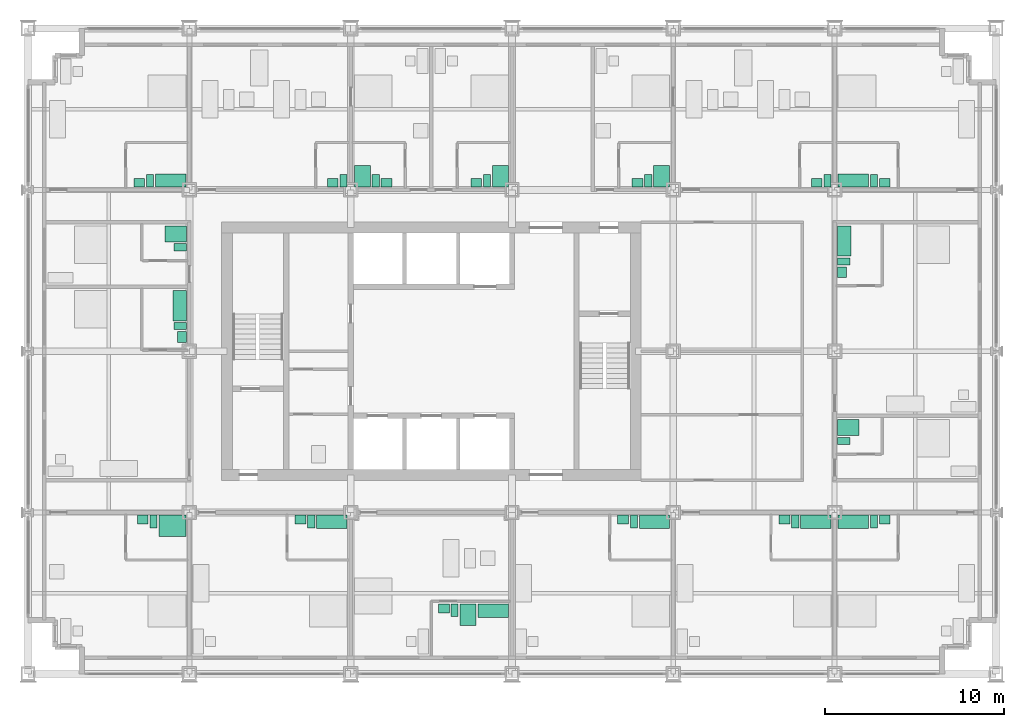
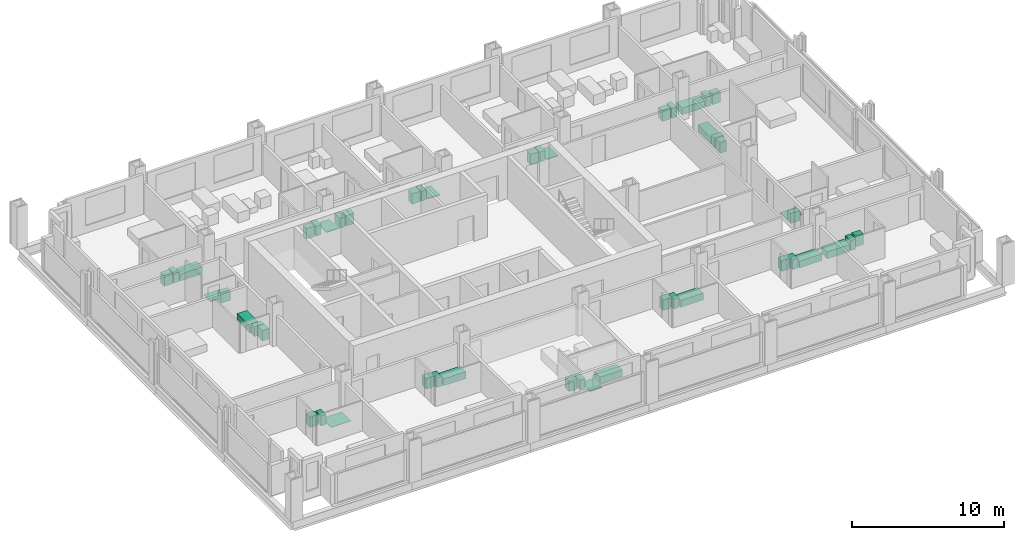
# One storey, part 17 of 18: 48 sanitary terminals.
"""IFC4 building model written with IfcOpenShell, lengths in metres."""

from ifc_helpers import new_model, si_unit, direction, frame, origin, origin_2d, place, context, subcontext, project, spatial, rectangle, extrude, element, save


model = new_model("IFC4")

# Units and contexts
model_context = context("Model", 3, precision=1e-05, world=origin(), true_north=direction((0.0, 1.0)))
body_context = subcontext(model_context, "Body", "Model", "MODEL_VIEW")
ifc_project = project(units=[si_unit("LENGTHUNIT", "METRE"), si_unit("AREAUNIT", "SQUARE_METRE"), si_unit("VOLUMEUNIT", "CUBIC_METRE"), si_unit("PLANEANGLEUNIT", "RADIAN"), si_unit("MASSUNIT", "GRAM", prefix="KILO")], contexts=[model_context])

# Site, building, storey
site_placement = place(None, origin())
site = spatial("IfcSite", under=ifc_project, at=site_placement, CompositionType="ELEMENT")
building_placement = place(site_placement, origin())
building = spatial("IfcBuilding", under=site, at=building_placement, Name="Loomwork Tower", CompositionType="ELEMENT")
storey_placement = place(building_placement, frame((0.0, 0.0, 45.0)))
storey = spatial("IfcBuildingStorey", under=building, at=storey_placement, Name="L10", CompositionType="ELEMENT", Elevation=45.0)

# Sanitary terminals
sanitary_terminal_1_placement = place(storey_placement, frame((8.050048828125, 8.25, 0.0), z_axis=(0.0, 0.0, 1.0), x_axis=(1.0, 0.0, 0.0)))
element("IfcSanitaryTerminal", 1, at=sanitary_terminal_1_placement, inside=storey, Name="Roll-in shower floor L10", PredefinedType="SHOWER", context=body_context, shape_type="SweptSolid", body=[
    extrude(rectangle(XDim=1.5, YDim=1.199951171875, at=origin_2d()), origin(), (0.0, 0.0, 1.0), 0.030029296875),
])
sanitary_terminal_2_placement = place(storey_placement, frame((7.0, 8.5, 0.0), z_axis=(0.0, 0.0, 1.0), x_axis=(1.0, 0.0, 0.0)))
element("IfcSanitaryTerminal", 2, at=sanitary_terminal_2_placement, inside=storey, Name="WC L10", PredefinedType="TOILETPAN", context=body_context, shape_type="SweptSolid", body=[
    extrude(rectangle(XDim=0.39990234375, YDim=0.699951171875, at=origin_2d()), origin(), (0.0, 0.0, 1.0), 0.800048828125),
])
sanitary_terminal_3_placement = place(storey_placement, frame((6.39990234375, 8.60009765625, 0.0), z_axis=(0.0, 0.0, 1.0), x_axis=(1.0, 0.0, 0.0)))
element("IfcSanitaryTerminal", 3, at=sanitary_terminal_3_placement, inside=storey, Name="Basin vanity L10", PredefinedType="WASHHANDBASIN", context=body_context, shape_type="SweptSolid", body=[
    extrude(rectangle(XDim=0.60009765625, YDim=0.5, at=origin_2d()), origin(), (0.0, 0.0, 1.0), 0.85009765625),
])
sanitary_terminal_4_placement = place(storey_placement, frame((16.949951171875, 8.47509765625, 0.0), z_axis=(0.0, 0.0, 1.0), x_axis=(1.0, 0.0, 0.0)))
element("IfcSanitaryTerminal", 4, at=sanitary_terminal_4_placement, inside=storey, Name="Bath L10", PredefinedType="BATH", context=body_context, shape_type="SweptSolid", body=[
    extrude(rectangle(XDim=1.699951171875, YDim=0.75, at=origin_2d()), origin(), (0.0, 0.0, 1.0), 0.550048828125),
])
sanitary_terminal_5_placement = place(storey_placement, frame((15.800048828125, 8.5, 0.0), z_axis=(0.0, 0.0, 1.0), x_axis=(1.0, 0.0, 0.0)))
element("IfcSanitaryTerminal", 5, at=sanitary_terminal_5_placement, inside=storey, Name="WC L10", PredefinedType="TOILETPAN", context=body_context, shape_type="SweptSolid", body=[
    extrude(rectangle(XDim=0.39990234375, YDim=0.699951171875, at=origin_2d()), origin(), (0.0, 0.0, 1.0), 0.800048828125),
])
sanitary_terminal_6_placement = place(storey_placement, frame((15.199951171875, 8.60009765625, 0.0), z_axis=(0.0, 0.0, 1.0), x_axis=(1.0, 0.0, 0.0)))
element("IfcSanitaryTerminal", 6, at=sanitary_terminal_6_placement, inside=storey, Name="Basin vanity L10", PredefinedType="WASHHANDBASIN", context=body_context, shape_type="SweptSolid", body=[
    extrude(rectangle(XDim=0.60009765625, YDim=0.5, at=origin_2d()), origin(), (0.0, 0.0, 1.0), 0.85009765625),
])
sanitary_terminal_7_placement = place(storey_placement, frame((25.949951171875, 3.52490234375, 0.0), z_axis=(0.0, 0.0, 1.0), x_axis=(1.0, 0.0, 0.0)))
element("IfcSanitaryTerminal", 7, at=sanitary_terminal_7_placement, inside=storey, Name="Bath L10", PredefinedType="BATH", context=body_context, shape_type="SweptSolid", body=[
    extrude(rectangle(XDim=1.699951171875, YDim=0.75, at=origin_2d()), origin(), (0.0, 0.0, 1.0), 0.550048828125),
])
sanitary_terminal_8_placement = place(storey_placement, frame((24.550048828125, 3.300048828125, 0.0), z_axis=(0.0, 0.0, 1.0), x_axis=(1.0, 0.0, 0.0)))
element("IfcSanitaryTerminal", 8, at=sanitary_terminal_8_placement, inside=storey, Name="Shower tray L10", PredefinedType="SHOWER", context=body_context, shape_type="SweptSolid", body=[
    extrude(rectangle(XDim=0.89990234375, YDim=1.199951171875, at=origin_2d()), origin(), (0.0, 0.0, 1.0), 0.050048828125),
])
sanitary_terminal_9_placement = place(storey_placement, frame((23.800048828125, 3.550048828125, 0.0), z_axis=(0.0, 0.0, 1.0), x_axis=(1.0, 0.0, 0.0)))
element("IfcSanitaryTerminal", 9, at=sanitary_terminal_9_placement, inside=storey, Name="WC L10", PredefinedType="TOILETPAN", context=body_context, shape_type="SweptSolid", body=[
    extrude(rectangle(XDim=0.39990234375, YDim=0.699951171875, at=origin_2d()), origin(), (0.0, 0.0, 1.0), 0.800048828125),
])
sanitary_terminal_10_placement = place(storey_placement, frame((23.199951171875, 3.64990234375, 0.0), z_axis=(0.0, 0.0, 1.0), x_axis=(1.0, 0.0, 0.0)))
element("IfcSanitaryTerminal", 10, at=sanitary_terminal_10_placement, inside=storey, Name="Basin vanity L10", PredefinedType="WASHHANDBASIN", context=body_context, shape_type="SweptSolid", body=[
    extrude(rectangle(XDim=0.60009765625, YDim=0.5, at=origin_2d()), origin(), (0.0, 0.0, 1.0), 0.85009765625),
])
sanitary_terminal_11_placement = place(storey_placement, frame((34.949951171875, 8.47509765625, 0.0), z_axis=(0.0, 0.0, 1.0), x_axis=(1.0, 0.0, 0.0)))
element("IfcSanitaryTerminal", 11, at=sanitary_terminal_11_placement, inside=storey, Name="Bath L10", PredefinedType="BATH", context=body_context, shape_type="SweptSolid", body=[
    extrude(rectangle(XDim=1.699951171875, YDim=0.75, at=origin_2d()), origin(), (0.0, 0.0, 1.0), 0.550048828125),
])
sanitary_terminal_12_placement = place(storey_placement, frame((33.800048828125, 8.5, 0.0), z_axis=(0.0, 0.0, 1.0), x_axis=(1.0, 0.0, 0.0)))
element("IfcSanitaryTerminal", 12, at=sanitary_terminal_12_placement, inside=storey, Name="WC L10", PredefinedType="TOILETPAN", context=body_context, shape_type="SweptSolid", body=[
    extrude(rectangle(XDim=0.39990234375, YDim=0.699951171875, at=origin_2d()), origin(), (0.0, 0.0, 1.0), 0.800048828125),
])
sanitary_terminal_13_placement = place(storey_placement, frame((33.199951171875, 8.60009765625, 0.0), z_axis=(0.0, 0.0, 1.0), x_axis=(1.0, 0.0, 0.0)))
element("IfcSanitaryTerminal", 13, at=sanitary_terminal_13_placement, inside=storey, Name="Basin vanity L10", PredefinedType="WASHHANDBASIN", context=body_context, shape_type="SweptSolid", body=[
    extrude(rectangle(XDim=0.60009765625, YDim=0.5, at=origin_2d()), origin(), (0.0, 0.0, 1.0), 0.85009765625),
])
sanitary_terminal_14_placement = place(storey_placement, frame((43.949951171875, 8.47509765625, 0.0), z_axis=(0.0, 0.0, 1.0), x_axis=(1.0, 0.0, 0.0)))
element("IfcSanitaryTerminal", 14, at=sanitary_terminal_14_placement, inside=storey, Name="Bath L10", PredefinedType="BATH", context=body_context, shape_type="SweptSolid", body=[
    extrude(rectangle(XDim=1.699951171875, YDim=0.75, at=origin_2d()), origin(), (0.0, 0.0, 1.0), 0.550048828125),
])
sanitary_terminal_15_placement = place(storey_placement, frame((42.800048828125, 8.5, 0.0), z_axis=(0.0, 0.0, 1.0), x_axis=(1.0, 0.0, 0.0)))
element("IfcSanitaryTerminal", 15, at=sanitary_terminal_15_placement, inside=storey, Name="WC L10", PredefinedType="TOILETPAN", context=body_context, shape_type="SweptSolid", body=[
    extrude(rectangle(XDim=0.39990234375, YDim=0.699951171875, at=origin_2d()), origin(), (0.0, 0.0, 1.0), 0.800048828125),
])
sanitary_terminal_16_placement = place(storey_placement, frame((42.199951171875, 8.60009765625, 0.0), z_axis=(0.0, 0.0, 1.0), x_axis=(1.0, 0.0, 0.0)))
element("IfcSanitaryTerminal", 16, at=sanitary_terminal_16_placement, inside=storey, Name="Basin vanity L10", PredefinedType="WASHHANDBASIN", context=body_context, shape_type="SweptSolid", body=[
    extrude(rectangle(XDim=0.60009765625, YDim=0.5, at=origin_2d()), origin(), (0.0, 0.0, 1.0), 0.85009765625),
])
sanitary_terminal_17_placement = place(storey_placement, frame((46.050048828125, 8.47509765625, 0.0), z_axis=(0.0, 0.0, 1.0), x_axis=(1.0, 0.0, 0.0)))
element("IfcSanitaryTerminal", 17, at=sanitary_terminal_17_placement, inside=storey, Name="Bath L10", PredefinedType="BATH", context=body_context, shape_type="SweptSolid", body=[
    extrude(rectangle(XDim=1.699951171875, YDim=0.75, at=origin_2d()), origin(), (0.0, 0.0, 1.0), 0.550048828125),
])
sanitary_terminal_18_placement = place(storey_placement, frame((47.199951171875, 8.5, 0.0), z_axis=(0.0, 0.0, 1.0), x_axis=(1.0, 0.0, 0.0)))
element("IfcSanitaryTerminal", 18, at=sanitary_terminal_18_placement, inside=storey, Name="WC L10", PredefinedType="TOILETPAN", context=body_context, shape_type="SweptSolid", body=[
    extrude(rectangle(XDim=0.39990234375, YDim=0.699951171875, at=origin_2d()), origin(), (0.0, 0.0, 1.0), 0.800048828125),
])
sanitary_terminal_19_placement = place(storey_placement, frame((47.800048828125, 8.60009765625, 0.0), z_axis=(0.0, 0.0, 1.0), x_axis=(1.0, 0.0, 0.0)))
element("IfcSanitaryTerminal", 19, at=sanitary_terminal_19_placement, inside=storey, Name="Basin vanity L10", PredefinedType="WASHHANDBASIN", context=body_context, shape_type="SweptSolid", body=[
    extrude(rectangle(XDim=0.60009765625, YDim=0.5, at=origin_2d()), origin(), (0.0, 0.0, 1.0), 0.85009765625),
])
sanitary_terminal_20_placement = place(storey_placement, frame((7.949951171875, 27.52490234375, 0.0), z_axis=(0.0, 0.0, 1.0), x_axis=(1.0, 0.0, 0.0)))
element("IfcSanitaryTerminal", 20, at=sanitary_terminal_20_placement, inside=storey, Name="Bath L10", PredefinedType="BATH", context=body_context, shape_type="SweptSolid", body=[
    extrude(rectangle(XDim=1.699951171875, YDim=0.75, at=origin_2d()), origin(), (0.0, 0.0, 1.0), 0.550048828125),
])
sanitary_terminal_21_placement = place(storey_placement, frame((6.800048828125, 27.5, 0.0), z_axis=(0.0, 0.0, 1.0), x_axis=(1.0, 0.0, 0.0)))
element("IfcSanitaryTerminal", 21, at=sanitary_terminal_21_placement, inside=storey, Name="WC L10", PredefinedType="TOILETPAN", context=body_context, shape_type="SweptSolid", body=[
    extrude(rectangle(XDim=0.39990234375, YDim=0.699951171875, at=origin_2d()), origin(), (0.0, 0.0, 1.0), 0.800048828125),
])
sanitary_terminal_22_placement = place(storey_placement, frame((6.199951171875, 27.39990234375, 0.0), z_axis=(0.0, 0.0, 1.0), x_axis=(1.0, 0.0, 0.0)))
element("IfcSanitaryTerminal", 22, at=sanitary_terminal_22_placement, inside=storey, Name="Basin vanity L10", PredefinedType="WASHHANDBASIN", context=body_context, shape_type="SweptSolid", body=[
    extrude(rectangle(XDim=0.60009765625, YDim=0.5, at=origin_2d()), origin(), (0.0, 0.0, 1.0), 0.85009765625),
])
sanitary_terminal_23_placement = place(storey_placement, frame((17.60009765625, 27.5, 0.0), z_axis=(0.0, 0.0, 1.0), x_axis=(1.0, 0.0, 0.0)))
element("IfcSanitaryTerminal", 23, at=sanitary_terminal_23_placement, inside=storey, Name="WC L10", PredefinedType="TOILETPAN", context=body_context, shape_type="SweptSolid", body=[
    extrude(rectangle(XDim=0.39990234375, YDim=0.699951171875, at=origin_2d()), origin(), (0.0, 0.0, 1.0), 0.800048828125),
])
sanitary_terminal_24_placement = place(storey_placement, frame((17.0, 27.39990234375, 0.0), z_axis=(0.0, 0.0, 1.0), x_axis=(1.0, 0.0, 0.0)))
element("IfcSanitaryTerminal", 24, at=sanitary_terminal_24_placement, inside=storey, Name="Basin vanity L10", PredefinedType="WASHHANDBASIN", context=body_context, shape_type="SweptSolid", body=[
    extrude(rectangle(XDim=0.60009765625, YDim=0.5, at=origin_2d()), origin(), (0.0, 0.0, 1.0), 0.85009765625),
])
sanitary_terminal_25_placement = place(storey_placement, frame((18.64990234375, 27.75, 0.0), z_axis=(0.0, 0.0, 1.0), x_axis=(1.0, 0.0, 0.0)))
element("IfcSanitaryTerminal", 25, at=sanitary_terminal_25_placement, inside=storey, Name="Shower tray L10", PredefinedType="SHOWER", context=body_context, shape_type="SweptSolid", body=[
    extrude(rectangle(XDim=0.89990234375, YDim=1.199951171875, at=origin_2d()), origin(), (0.0, 0.0, 1.0), 0.050048828125),
])
sanitary_terminal_26_placement = place(storey_placement, frame((19.39990234375, 27.5, 0.0), z_axis=(0.0, 0.0, 1.0), x_axis=(1.0, 0.0, 0.0)))
element("IfcSanitaryTerminal", 26, at=sanitary_terminal_26_placement, inside=storey, Name="WC L10", PredefinedType="TOILETPAN", context=body_context, shape_type="SweptSolid", body=[
    extrude(rectangle(XDim=0.39990234375, YDim=0.699951171875, at=origin_2d()), origin(), (0.0, 0.0, 1.0), 0.800048828125),
])
sanitary_terminal_27_placement = place(storey_placement, frame((20.0, 27.39990234375, 0.0), z_axis=(0.0, 0.0, 1.0), x_axis=(1.0, 0.0, 0.0)))
element("IfcSanitaryTerminal", 27, at=sanitary_terminal_27_placement, inside=storey, Name="Basin vanity L10", PredefinedType="WASHHANDBASIN", context=body_context, shape_type="SweptSolid", body=[
    extrude(rectangle(XDim=0.60009765625, YDim=0.5, at=origin_2d()), origin(), (0.0, 0.0, 1.0), 0.85009765625),
])
sanitary_terminal_28_placement = place(storey_placement, frame((26.35009765625, 27.75, 0.0), z_axis=(0.0, 0.0, 1.0), x_axis=(1.0, 0.0, 0.0)))
element("IfcSanitaryTerminal", 28, at=sanitary_terminal_28_placement, inside=storey, Name="Shower tray L10", PredefinedType="SHOWER", context=body_context, shape_type="SweptSolid", body=[
    extrude(rectangle(XDim=0.89990234375, YDim=1.199951171875, at=origin_2d()), origin(), (0.0, 0.0, 1.0), 0.050048828125),
])
sanitary_terminal_29_placement = place(storey_placement, frame((25.60009765625, 27.5, 0.0), z_axis=(0.0, 0.0, 1.0), x_axis=(1.0, 0.0, 0.0)))
element("IfcSanitaryTerminal", 29, at=sanitary_terminal_29_placement, inside=storey, Name="WC L10", PredefinedType="TOILETPAN", context=body_context, shape_type="SweptSolid", body=[
    extrude(rectangle(XDim=0.39990234375, YDim=0.699951171875, at=origin_2d()), origin(), (0.0, 0.0, 1.0), 0.800048828125),
])
sanitary_terminal_30_placement = place(storey_placement, frame((25.0, 27.39990234375, 0.0), z_axis=(0.0, 0.0, 1.0), x_axis=(1.0, 0.0, 0.0)))
element("IfcSanitaryTerminal", 30, at=sanitary_terminal_30_placement, inside=storey, Name="Basin vanity L10", PredefinedType="WASHHANDBASIN", context=body_context, shape_type="SweptSolid", body=[
    extrude(rectangle(XDim=0.60009765625, YDim=0.5, at=origin_2d()), origin(), (0.0, 0.0, 1.0), 0.85009765625),
])
sanitary_terminal_31_placement = place(storey_placement, frame((35.35009765625, 27.75, 0.0), z_axis=(0.0, 0.0, 1.0), x_axis=(1.0, 0.0, 0.0)))
element("IfcSanitaryTerminal", 31, at=sanitary_terminal_31_placement, inside=storey, Name="Shower tray L10", PredefinedType="SHOWER", context=body_context, shape_type="SweptSolid", body=[
    extrude(rectangle(XDim=0.89990234375, YDim=1.199951171875, at=origin_2d()), origin(), (0.0, 0.0, 1.0), 0.050048828125),
])
sanitary_terminal_32_placement = place(storey_placement, frame((34.60009765625, 27.5, 0.0), z_axis=(0.0, 0.0, 1.0), x_axis=(1.0, 0.0, 0.0)))
element("IfcSanitaryTerminal", 32, at=sanitary_terminal_32_placement, inside=storey, Name="WC L10", PredefinedType="TOILETPAN", context=body_context, shape_type="SweptSolid", body=[
    extrude(rectangle(XDim=0.39990234375, YDim=0.699951171875, at=origin_2d()), origin(), (0.0, 0.0, 1.0), 0.800048828125),
])
sanitary_terminal_33_placement = place(storey_placement, frame((34.0, 27.39990234375, 0.0), z_axis=(0.0, 0.0, 1.0), x_axis=(1.0, 0.0, 0.0)))
element("IfcSanitaryTerminal", 33, at=sanitary_terminal_33_placement, inside=storey, Name="Basin vanity L10", PredefinedType="WASHHANDBASIN", context=body_context, shape_type="SweptSolid", body=[
    extrude(rectangle(XDim=0.60009765625, YDim=0.5, at=origin_2d()), origin(), (0.0, 0.0, 1.0), 0.85009765625),
])
sanitary_terminal_34_placement = place(storey_placement, frame((44.60009765625, 27.5, 0.0), z_axis=(0.0, 0.0, 1.0), x_axis=(1.0, 0.0, 0.0)))
element("IfcSanitaryTerminal", 34, at=sanitary_terminal_34_placement, inside=storey, Name="WC L10", PredefinedType="TOILETPAN", context=body_context, shape_type="SweptSolid", body=[
    extrude(rectangle(XDim=0.39990234375, YDim=0.699951171875, at=origin_2d()), origin(), (0.0, 0.0, 1.0), 0.800048828125),
])
sanitary_terminal_35_placement = place(storey_placement, frame((44.0, 27.39990234375, 0.0), z_axis=(0.0, 0.0, 1.0), x_axis=(1.0, 0.0, 0.0)))
element("IfcSanitaryTerminal", 35, at=sanitary_terminal_35_placement, inside=storey, Name="Basin vanity L10", PredefinedType="WASHHANDBASIN", context=body_context, shape_type="SweptSolid", body=[
    extrude(rectangle(XDim=0.60009765625, YDim=0.5, at=origin_2d()), origin(), (0.0, 0.0, 1.0), 0.85009765625),
])
sanitary_terminal_36_placement = place(storey_placement, frame((46.050048828125, 27.52490234375, 0.0), z_axis=(0.0, 0.0, 1.0), x_axis=(1.0, 0.0, 0.0)))
element("IfcSanitaryTerminal", 36, at=sanitary_terminal_36_placement, inside=storey, Name="Bath L10", PredefinedType="BATH", context=body_context, shape_type="SweptSolid", body=[
    extrude(rectangle(XDim=1.699951171875, YDim=0.75, at=origin_2d()), origin(), (0.0, 0.0, 1.0), 0.550048828125),
])
sanitary_terminal_37_placement = place(storey_placement, frame((47.199951171875, 27.5, 0.0), z_axis=(0.0, 0.0, 1.0), x_axis=(1.0, 0.0, 0.0)))
element("IfcSanitaryTerminal", 37, at=sanitary_terminal_37_placement, inside=storey, Name="WC L10", PredefinedType="TOILETPAN", context=body_context, shape_type="SweptSolid", body=[
    extrude(rectangle(XDim=0.39990234375, YDim=0.699951171875, at=origin_2d()), origin(), (0.0, 0.0, 1.0), 0.800048828125),
])
sanitary_terminal_38_placement = place(storey_placement, frame((47.800048828125, 27.39990234375, 0.0), z_axis=(0.0, 0.0, 1.0), x_axis=(1.0, 0.0, 0.0)))
element("IfcSanitaryTerminal", 38, at=sanitary_terminal_38_placement, inside=storey, Name="Basin vanity L10", PredefinedType="WASHHANDBASIN", context=body_context, shape_type="SweptSolid", body=[
    extrude(rectangle(XDim=0.60009765625, YDim=0.5, at=origin_2d()), origin(), (0.0, 0.0, 1.0), 0.85009765625),
])
sanitary_terminal_39_placement = place(storey_placement, frame((8.47509765625, 20.550048828125, 0.0), z_axis=(0.0, 0.0, 1.0), x_axis=(1.0, 0.0, 0.0)))
element("IfcSanitaryTerminal", 39, at=sanitary_terminal_39_placement, inside=storey, Name="Bath L10", PredefinedType="BATH", context=body_context, shape_type="SweptSolid", body=[
    extrude(rectangle(XDim=0.75, YDim=1.699951171875, at=origin_2d()), origin(), (0.0, 0.0, 1.0), 0.550048828125),
])
sanitary_terminal_40_placement = place(storey_placement, frame((8.5, 19.39990234375, 0.0), z_axis=(0.0, 0.0, 1.0), x_axis=(1.0, 0.0, 0.0)))
element("IfcSanitaryTerminal", 40, at=sanitary_terminal_40_placement, inside=storey, Name="WC L10", PredefinedType="TOILETPAN", context=body_context, shape_type="SweptSolid", body=[
    extrude(rectangle(XDim=0.699951171875, YDim=0.39990234375, at=origin_2d()), origin(), (0.0, 0.0, 1.0), 0.800048828125),
])
sanitary_terminal_41_placement = place(storey_placement, frame((8.60009765625, 18.800048828125, 0.0), z_axis=(0.0, 0.0, 1.0), x_axis=(1.0, 0.0, 0.0)))
element("IfcSanitaryTerminal", 41, at=sanitary_terminal_41_placement, inside=storey, Name="Basin vanity L10", PredefinedType="WASHHANDBASIN", context=body_context, shape_type="SweptSolid", body=[
    extrude(rectangle(XDim=0.5, YDim=0.60009765625, at=origin_2d()), origin(), (0.0, 0.0, 1.0), 0.85009765625),
])
sanitary_terminal_42_placement = place(storey_placement, frame((8.25, 24.550048828125, 0.0), z_axis=(0.0, 0.0, 1.0), x_axis=(1.0, 0.0, 0.0)))
element("IfcSanitaryTerminal", 42, at=sanitary_terminal_42_placement, inside=storey, Name="Shower tray L10", PredefinedType="SHOWER", context=body_context, shape_type="SweptSolid", body=[
    extrude(rectangle(XDim=1.199951171875, YDim=0.89990234375, at=origin_2d()), origin(), (0.0, 0.0, 1.0), 0.050048828125),
])
sanitary_terminal_43_placement = place(storey_placement, frame((8.5, 23.800048828125, 0.0), z_axis=(0.0, 0.0, 1.0), x_axis=(1.0, 0.0, 0.0)))
element("IfcSanitaryTerminal", 43, at=sanitary_terminal_43_placement, inside=storey, Name="WC L10", PredefinedType="TOILETPAN", context=body_context, shape_type="SweptSolid", body=[
    extrude(rectangle(XDim=0.699951171875, YDim=0.39990234375, at=origin_2d()), origin(), (0.0, 0.0, 1.0), 0.800048828125),
])
sanitary_terminal_44_placement = place(storey_placement, frame((45.75, 13.75, 0.0), z_axis=(0.0, 0.0, 1.0), x_axis=(1.0, 0.0, 0.0)))
element("IfcSanitaryTerminal", 44, at=sanitary_terminal_44_placement, inside=storey, Name="Shower tray L10", PredefinedType="SHOWER", context=body_context, shape_type="SweptSolid", body=[
    extrude(rectangle(XDim=1.199951171875, YDim=0.89990234375, at=origin_2d()), origin(), (0.0, 0.0, 1.0), 0.050048828125),
])
sanitary_terminal_45_placement = place(storey_placement, frame((45.5, 13.0, 0.0), z_axis=(0.0, 0.0, 1.0), x_axis=(1.0, 0.0, 0.0)))
element("IfcSanitaryTerminal", 45, at=sanitary_terminal_45_placement, inside=storey, Name="WC L10", PredefinedType="TOILETPAN", context=body_context, shape_type="SweptSolid", body=[
    extrude(rectangle(XDim=0.699951171875, YDim=0.39990234375, at=origin_2d()), origin(), (0.0, 0.0, 1.0), 0.800048828125),
])
sanitary_terminal_46_placement = place(storey_placement, frame((45.52490234375, 24.14990234375, 0.0), z_axis=(0.0, 0.0, 1.0), x_axis=(1.0, 0.0, 0.0)))
element("IfcSanitaryTerminal", 46, at=sanitary_terminal_46_placement, inside=storey, Name="Bath L10", PredefinedType="BATH", context=body_context, shape_type="SweptSolid", body=[
    extrude(rectangle(XDim=0.75, YDim=1.699951171875, at=origin_2d()), origin(), (0.0, 0.0, 1.0), 0.550048828125),
])
sanitary_terminal_47_placement = place(storey_placement, frame((45.5, 23.0, 0.0), z_axis=(0.0, 0.0, 1.0), x_axis=(1.0, 0.0, 0.0)))
element("IfcSanitaryTerminal", 47, at=sanitary_terminal_47_placement, inside=storey, Name="WC L10", PredefinedType="TOILETPAN", context=body_context, shape_type="SweptSolid", body=[
    extrude(rectangle(XDim=0.699951171875, YDim=0.39990234375, at=origin_2d()), origin(), (0.0, 0.0, 1.0), 0.800048828125),
])
sanitary_terminal_48_placement = place(storey_placement, frame((45.39990234375, 22.39990234375, 0.0), z_axis=(0.0, 0.0, 1.0), x_axis=(1.0, 0.0, 0.0)))
element("IfcSanitaryTerminal", 48, at=sanitary_terminal_48_placement, inside=storey, Name="Basin vanity L10", PredefinedType="WASHHANDBASIN", context=body_context, shape_type="SweptSolid", body=[
    extrude(rectangle(XDim=0.5, YDim=0.60009765625, at=origin_2d()), origin(), (0.0, 0.0, 1.0), 0.85009765625),
])

save(model, "model.ifc")
